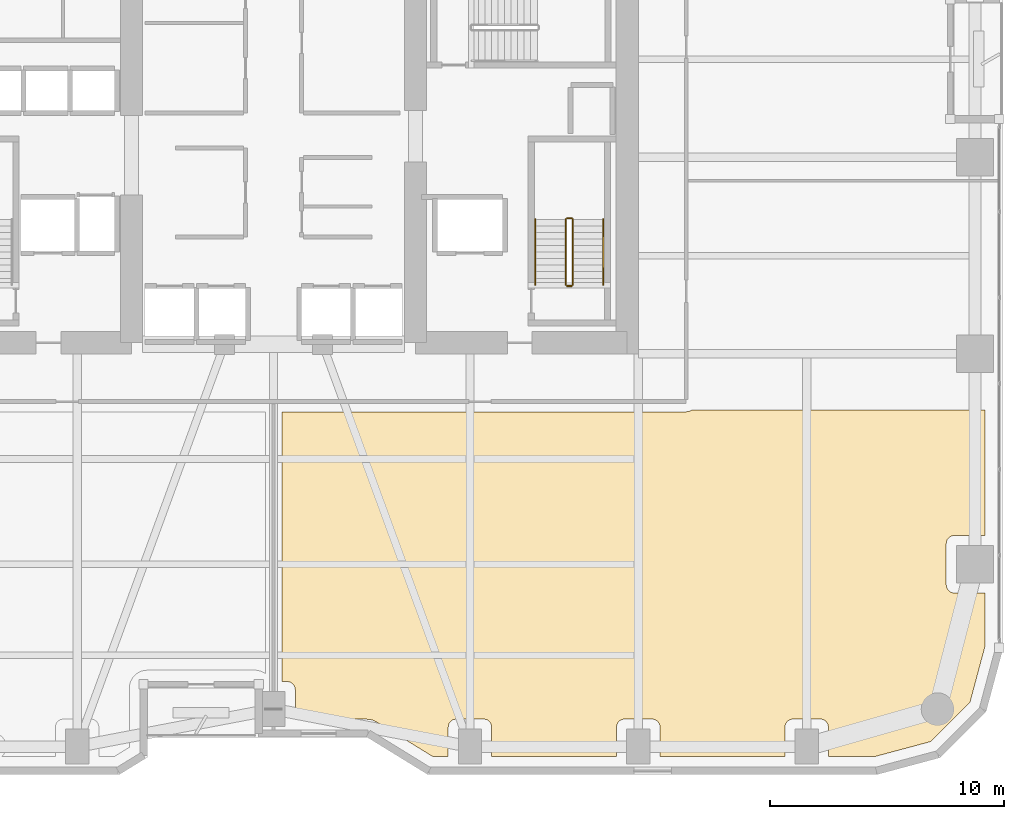
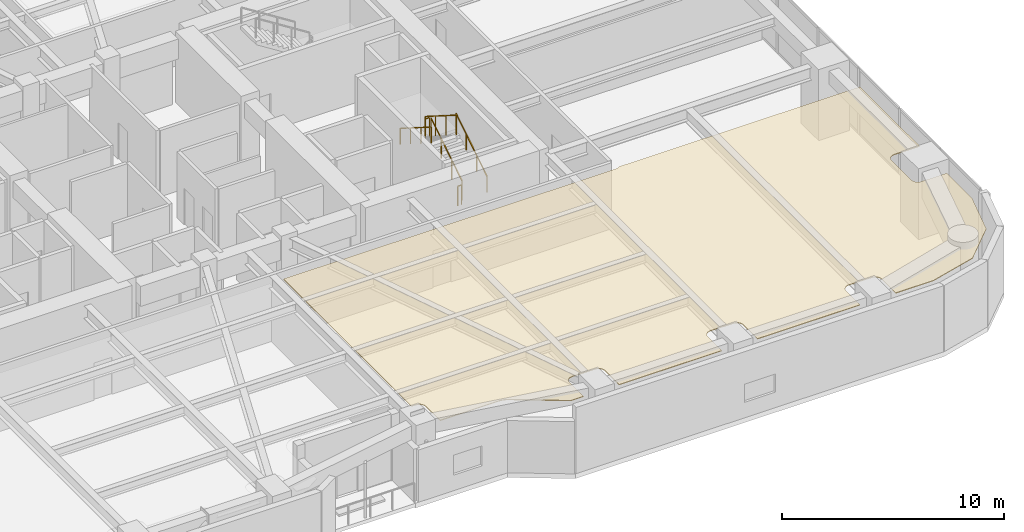
# One storey, part 27 of 29: 6 railings, 1 covering.
"""IFC4 building model written with IfcOpenShell, lengths in metres."""

import ifcopenshell
import ifcopenshell.guid

model = None  # the IFC model being written
_history = None  # IfcOwnerHistory: only IFC2X3 demands one
_inside = {}  # id of a spatial element -> (the spatial element, [elements in it])
_under = {}  # id of a project, library or spatial element -> (it, [spatial elements below it])
_declared = {}  # id of a project -> (the project, [libraries it declares])
_typed = {}  # id of a type object -> (the type object, [elements of that type])
_made_of = {}  # id of a material, layer set ... -> (it, [elements and type objects made of it])


def new_model(schema):
    """Start an empty IFC model of exactly this schema.

    Asked for "IFC4X3", IfcOpenShell would pick the latest addendum, in which some entities
    have other attributes; the version numbers below select the first issue.
    IFC2X3 requires an IfcOwnerHistory on every rooted entity: one is made here for all.
    """
    global model, _history
    if schema == "IFC4X3":
        model = ifcopenshell.file(schema_version=(4, 3, 0, 0))
    else:
        model = ifcopenshell.file(schema=schema)
    _inside.clear()
    _under.clear()
    _declared.clear()
    _typed.clear()
    _made_of.clear()
    _history = None
    if model.schema == "IFC2X3":
        org = make("IfcOrganization", Name="unknown")
        user = make(
            "IfcPersonAndOrganization",
            ThePerson=make("IfcPerson", FamilyName="unknown"),
            TheOrganization=org,
        )
        app = make(
            "IfcApplication",
            ApplicationDeveloper=org,
            Version="unknown",
            ApplicationFullName="unknown",
            ApplicationIdentifier="unknown",
        )
        _history = make(
            "IfcOwnerHistory",
            OwningUser=user,
            OwningApplication=app,
            ChangeAction="ADDED",
            CreationDate=0,
        )
    return model


def make(cls, **values):
    """One entity of the class cls with the attributes given. An attribute that is None is left unset."""
    return model.create_entity(
        cls, **{name: value for name, value in values.items() if value is not None}
    )


def rooted(cls, **values):
    """An entity with a GlobalId (a new one), such as an element, a storey or a relation."""
    return make(cls, GlobalId=ifcopenshell.guid.new(), OwnerHistory=_history, **values)


def si_unit(unit_type, name, prefix=None):
    """IfcSIUnit, for example si_unit("LENGTHUNIT", "METRE", prefix="MILLI")."""
    return make("IfcSIUnit", UnitType=unit_type, Prefix=prefix, Name=name)


def assignment(units):
    """IfcUnitAssignment: the units of a project."""
    return None if units is None else make("IfcUnitAssignment", Units=units)


def point(xyz):
    """IfcCartesianPoint."""
    return None if xyz is None else make("IfcCartesianPoint", Coordinates=xyz)


def direction(xyz):
    """IfcDirection."""
    return None if xyz is None else make("IfcDirection", DirectionRatios=xyz)


def frame(location, z_axis=None, x_axis=None):
    """IfcAxis2Placement3D, a coordinate frame: its origin and axes. An axis left out is left unset."""
    return make(
        "IfcAxis2Placement3D",
        Location=point(location),
        Axis=direction(z_axis),
        RefDirection=direction(x_axis),
    )


def frame_2d(location, x_axis=None):
    """IfcAxis2Placement2D, a coordinate frame in the plane: its origin and x axis."""
    return make(
        "IfcAxis2Placement2D", Location=point(location), RefDirection=direction(x_axis)
    )


def origin():
    """The frame at (0, 0, 0) with its axes left unset."""
    return frame((0.0, 0.0, 0.0))


def origin_2d():
    """The frame at (0, 0) in the plane with its x axis left unset."""
    return frame_2d((0.0, 0.0))


def place(relative_to, where):
    """IfcLocalPlacement: puts the frame where relative to a parent placement (None: the world)."""
    return make(
        "IfcLocalPlacement", PlacementRelTo=relative_to, RelativePlacement=where
    )


def context(
    kind, dimensions, precision=None, world=None, true_north=None, identifier=None
):
    """IfcGeometricRepresentationContext, for example the 3D "Model" context."""
    return make(
        "IfcGeometricRepresentationContext",
        ContextIdentifier=identifier,
        ContextType=kind,
        CoordinateSpaceDimension=dimensions,
        Precision=precision,
        WorldCoordinateSystem=world,
        TrueNorth=true_north,
    )


def subcontext(parent, identifier, kind, view, scale=None):
    """IfcGeometricRepresentationSubContext, for example "Body" below "Model"."""
    return make(
        "IfcGeometricRepresentationSubContext",
        ContextIdentifier=identifier,
        ContextType=kind,
        ParentContext=parent,
        TargetScale=scale,
        TargetView=view,
    )


def project(units=None, contexts=None):
    """IfcProject with its units and contexts."""
    return rooted(
        "IfcProject",
        Name="project",
        RepresentationContexts=contexts,
        UnitsInContext=assignment(units),
    )


def spatial(cls, under=None, at=None, **own):
    """A site, building, storey or space (cls), placed at a placement, below another one or the project."""
    s = rooted(cls, ObjectPlacement=at, **own)
    if under is not None:
        _under.setdefault(under.id(), (under, []))[1].append(s)
    return s


def polyline(points):
    """IfcPolyline through the points."""
    return make("IfcPolyline", Points=[point(p) for p in points])


def profile(cls, at=None, kind="AREA", **sizes):
    """A parametric profile (cls). Its sizes go by their IFC names, for example OverallWidth=200.0."""
    return make(cls, ProfileType=kind, Position=at, **sizes)


def rectangle(**sizes):
    """IfcRectangleProfileDef."""
    return profile("IfcRectangleProfileDef", **sizes)


def outline(outer, holes=None, kind="AREA"):
    """IfcArbitraryClosedProfileDef: a profile drawn as a closed curve; with holes, ...WithVoids."""
    if holes is None:
        return make("IfcArbitraryClosedProfileDef", ProfileType=kind, OuterCurve=outer)
    return make(
        "IfcArbitraryProfileDefWithVoids",
        ProfileType=kind,
        OuterCurve=outer,
        InnerCurves=holes,
    )


def extrude(swept, where, along, depth):
    """IfcExtrudedAreaSolid: the profile swept, set in the frame where, extruded along a direction by depth."""
    return make(
        "IfcExtrudedAreaSolid",
        SweptArea=swept,
        Position=where,
        ExtrudedDirection=direction(along),
        Depth=depth,
    )


def shape(context_of_items, identifier, shape_type, items):
    """IfcShapeRepresentation: the items that make up one representation, for example the "Body"."""
    return make(
        "IfcShapeRepresentation",
        ContextOfItems=context_of_items,
        RepresentationIdentifier=identifier,
        RepresentationType=shape_type,
        Items=items,
    )


def material(Name=None, Category=None):
    """IfcMaterial."""
    return make("IfcMaterial", Name=Name, Category=Category)


def layer(
    of_material, thickness, ventilated=None, Name=None, Category=None, Priority=None
):
    """IfcMaterialLayer: one layer of a wall or slab, of a material (None: an air gap)."""
    return make(
        "IfcMaterialLayer",
        Material=of_material,
        LayerThickness=thickness,
        IsVentilated=ventilated,
        Name=Name,
        Category=Category,
        Priority=Priority,
    )


def layer_set(layers, Name=None):
    """IfcMaterialLayerSet."""
    return make("IfcMaterialLayerSet", MaterialLayers=layers, LayerSetName=Name)


def made_of(thing, what):
    """Note that an element or type object is made of a material, layer set ...; save() writes the relation."""
    if what is not None:
        _made_of.setdefault(what.id(), (what, []))[1].append(thing)
    return thing


def type_object(cls, material=None, **own):
    """A type object (cls), such as IfcWallType, which elements share."""
    return made_of(rooted(cls, **own), material)


def element(
    cls,
    number,
    at=None,
    inside=None,
    cuts=None,
    type_object=None,
    material=None,
    context=None,
    identifier="Body",
    shape_type=None,
    held_by="IfcProductDefinitionShape",
    body=None,
    shapes=None,
    **own,
):
    """One element of the class cls, such as IfcWall. Its Tag is "e" and its number.

    at: its placement. inside: the storey or other place that contains it. cuts: it is an
    opening in that element (IfcRelVoidsElement). A single representation is given by context,
    identifier, shape_type and body (its items); several are given by shapes. held_by: the class
    of the entity that holds the representations. save() writes the other relations.
    """
    e = rooted(cls, Tag="e%d" % number, ObjectPlacement=at, **own)
    if body is not None:
        shapes = [shape(context, identifier, shape_type, body)]
    if shapes is not None:
        e.Representation = make(held_by, Representations=shapes)
    if inside is not None:
        _inside.setdefault(inside.id(), (inside, []))[1].append(e)
    if cuts is not None:
        rooted(
            "IfcRelVoidsElement", RelatingBuildingElement=cuts, RelatedOpeningElement=e
        )
    if type_object is not None:
        _typed.setdefault(type_object.id(), (type_object, []))[1].append(e)
    return made_of(e, material)


def aggregate(whole, parts):
    """IfcRelAggregates: a whole, such as a stair, and the parts it consists of."""
    return rooted("IfcRelAggregates", RelatingObject=whole, RelatedObjects=parts)


def save(model, path):
    """Write the relations noted so far, then the file.

    IfcRelAggregates (storeys below a building ...), IfcRelContainedInSpatialStructure (elements
    in a storey), IfcRelDefinesByType, IfcRelAssociatesMaterial and IfcRelDeclares: one each for
    every whole, place, type object, material and project.
    """
    for whole, parts in _under.values():
        aggregate(whole, parts)
    for where, things in _inside.values():
        rooted(
            "IfcRelContainedInSpatialStructure",
            RelatedElements=things,
            RelatingStructure=where,
        )
    for kind, things in _typed.values():
        rooted("IfcRelDefinesByType", RelatedObjects=things, RelatingType=kind)
    for what, things in _made_of.values():
        rooted("IfcRelAssociatesMaterial", RelatedObjects=things, RelatingMaterial=what)
    for by, libraries in _declared.values():
        rooted("IfcRelDeclares", RelatingContext=by, RelatedDefinitions=libraries)
    model.write(path)


model = new_model("IFC4")

# Units and contexts
model_context = context("Model", 3, precision=1e-05, world=origin(), true_north=direction((0.0, 1.0)))
body_context = subcontext(model_context, "Body", "Model", "MODEL_VIEW")
ifc_project = project(units=[si_unit("LENGTHUNIT", "METRE"), si_unit("AREAUNIT", "SQUARE_METRE"), si_unit("VOLUMEUNIT", "CUBIC_METRE"), si_unit("PLANEANGLEUNIT", "RADIAN"), si_unit("MASSUNIT", "GRAM", prefix="KILO")], contexts=[model_context])

# Site, building, storey
site_placement = place(None, origin())
site = spatial("IfcSite", under=ifc_project, at=site_placement, CompositionType="ELEMENT")
building_placement = place(site_placement, origin())
building = spatial("IfcBuilding", under=site, at=building_placement, Name="Kiyonajd Concourse Tower", CompositionType="ELEMENT")
storey_placement = place(building_placement, frame((0.0, 0.0, 29.39990234375)))
storey = spatial("IfcBuildingStorey", under=building, at=storey_placement, Name="L08", CompositionType="ELEMENT", Elevation=29.39990234375)

# Covering
ifc_material_1 = material(Name="Natural Oak Acoustic Timber Veneer", Category="wood")
ifc_layer = layer(ifc_material_1, 0.0400390625)
ifc_layer_set = layer_set([ifc_layer], Name="Natural Oak Acoustic Timber Veneer")
covering_type = type_object("IfcCoveringType", Name="CV-CLG-ACST", PredefinedType="CEILING", material=ifc_layer_set)
covering_placement = place(storey_placement, frame((0.0, 0.0, 3.460205078125)))
element("IfcCovering", 1, at=covering_placement, inside=storey, type_object=covering_type, Name="L08-39 Room Acoustic Ceiling", PredefinedType="CEILING", context=body_context, shape_type="SweptSolid", body=[
    extrude(outline(polyline([(65.89794921875, 25.199951171875), (78.429931640625, 25.199951171875), (78.429931640625, 19.830078125), (77.1201171875, 19.830078125), (77.052001953125, 19.822998046875), (76.986083984375, 19.802978515625), (76.926025390625, 19.77099609375), (76.84912109375, 19.701904296875), (76.81103515625, 19.64501953125), (76.784912109375, 19.58203125), (76.77001953125, 19.47998046875), (76.77001953125, 17.719970703125), (76.784912109375, 17.617919921875), (76.81103515625, 17.554931640625), (76.84912109375, 17.498046875), (76.89794921875, 17.448974609375), (76.955078125, 17.410888671875), (77.01806640625, 17.385009765625), (77.0859375, 17.3720703125), (78.429931640625, 17.3701171875), (78.429931640625, 15.10107421875), (77.785888671875, 12.697998046875), (76.10205078125, 11.013916015625), (73.698974609375, 10.3701171875), (71.72998046875, 10.3701171875), (71.72802734375, 11.6640625), (71.715087890625, 11.73193359375), (71.68896484375, 11.794921875), (71.626953125, 11.876953125), (71.544921875, 11.93896484375), (71.48193359375, 11.965087890625), (71.4140625, 11.97802734375), (70.18603515625, 11.97802734375), (70.117919921875, 11.965087890625), (70.054931640625, 11.93896484375), (69.972900390625, 11.876953125), (69.910888671875, 11.794921875), (69.876953125, 11.697998046875), (69.8701171875, 11.6298828125), (69.8701171875, 10.3701171875), (64.530029296875, 10.3701171875), (64.528076171875, 11.6640625), (64.514892578125, 11.73193359375), (64.489013671875, 11.794921875), (64.427001953125, 11.876953125), (64.344970703125, 11.93896484375), (64.281982421875, 11.965087890625), (64.214111328125, 11.97802734375), (63.02001953125, 11.97998046875), (62.91796875, 11.965087890625), (62.85498046875, 11.93896484375), (62.798095703125, 11.90087890625), (62.7490234375, 11.85205078125), (62.7109375, 11.794921875), (62.677001953125, 11.697998046875), (62.669921875, 11.6298828125), (62.669921875, 10.3701171875), (57.330078125, 10.3701171875), (57.327880859375, 11.6640625), (57.302978515625, 11.763916015625), (57.27099609375, 11.823974609375), (57.22705078125, 11.876953125), (57.174072265625, 11.9208984375), (57.114013671875, 11.952880859375), (57.013916015625, 11.97802734375), (55.820068359375, 11.97998046875), (55.718017578125, 11.965087890625), (55.655029296875, 11.93896484375), (55.597900390625, 11.90087890625), (55.549072265625, 11.85205078125), (55.510986328125, 11.794921875), (55.47705078125, 11.697998046875), (55.469970703125, 11.6298828125), (55.469970703125, 10.3701171875), (54.818115234375, 10.3701171875), (52.403076171875, 11.85595703125), (52.305908203125, 11.906005859375), (52.221923828125, 11.93701171875), (52.10302734375, 11.9619140625), (52.0, 11.969970703125), (48.929931640625, 11.969970703125), (48.929931640625, 13.22998046875), (48.9150390625, 13.33203125), (48.888916015625, 13.39501953125), (48.85107421875, 13.451904296875), (48.802001953125, 13.5009765625), (48.714111328125, 13.552978515625), (48.614013671875, 13.577880859375), (48.3701171875, 13.580078125), (48.3701171875, 25.1201171875), (65.64990234375, 25.1201171875), (65.780029296875, 25.139892578125), (65.843017578125, 25.166015625), (65.89794921875, 25.199951171875)])), origin(), (0.0, 0.0, 1.0), 0.039794921875),
])

# Railings
ifc_material_2 = material(Name="Steel ASTM A500 Grade C", Category="steel")
railing_type_1 = type_object("IfcRailingType", Name="RL-GRD-STR", PredefinedType="GUARDRAIL", material=ifc_material_2)
railing_1_placement = place(storey_placement, frame((60.800048828125, 30.550048828125, 0.177490234375)))
element("IfcRailing", 2, at=railing_1_placement, inside=storey, type_object=railing_type_1, Name="L08 ST2 stair guard 1", PredefinedType="GUARDRAIL", context=body_context, shape_type="SweptSolid", body=[
    extrude(rectangle(XDim=0.048095703125, YDim=0.048095703125, at=origin_2d()), frame((0.0, 0.0, 1.076171875), z_axis=(0.0, 0.844908973607, 0.534910110503), x_axis=(-1.0, 0.0, 0.0)), (0.0, 0.0, 1.0), 3.31396484375),
    extrude(rectangle(XDim=0.0419921875, YDim=0.0419921875, at=origin_2d()), origin(), (0.0, 0.0, 1.0), 1.052001953125),
    extrude(rectangle(XDim=0.0419921875, YDim=0.0419921875, at=origin_2d()), frame((0.0, 0.933349609375, 0.5908203125)), (0.0, 0.0, 1.0), 1.052001953125),
    extrude(rectangle(XDim=0.0419921875, YDim=0.0419921875, at=origin_2d()), frame((0.0, 1.86669921875, 1.181884765625)), (0.0, 0.0, 1.0), 1.052001953125),
    extrude(rectangle(XDim=0.0419921875, YDim=0.0419921875, at=origin_2d()), frame((0.0, 2.800048828125, 1.772705078125)), (0.0, 0.0, 1.0), 1.052001953125),
])
railing_2_placement = place(storey_placement, frame((60.75, 33.39990234375, 1.9501953125)))
element("IfcRailing", 3, at=railing_2_placement, inside=storey, type_object=railing_type_1, Name="L08 ST2 stair guard 2", PredefinedType="GUARDRAIL", context=body_context, shape_type="SweptSolid", body=[
    extrude(rectangle(XDim=0.048095703125, YDim=0.048095703125, at=origin_2d()), frame((0.0, 0.0, 1.076171875), z_axis=(-1.0, 0.0, 0.0), x_axis=(0.0, -1.0, 0.0)), (0.0, 0.0, 1.0), 0.199951171875),
    extrude(rectangle(XDim=0.0419921875, YDim=0.0419921875, at=origin_2d()), origin(), (0.0, 0.0, 1.0), 1.052001953125),
    extrude(rectangle(XDim=0.0419921875, YDim=0.0419921875, at=origin_2d()), frame((-0.199951171875, 0.0, 0.0)), (0.0, 0.0, 1.0), 1.052001953125),
])
railing_3_placement = place(storey_placement, frame((60.5, 33.35009765625, 2.12744140625)))
element("IfcRailing", 4, at=railing_3_placement, inside=storey, type_object=railing_type_1, Name="L08 ST2 stair guard 3", PredefinedType="GUARDRAIL", context=body_context, shape_type="SweptSolid", body=[
    extrude(rectangle(XDim=0.048095703125, YDim=0.048095703125, at=origin_2d()), frame((0.0, 0.0, 1.076171875), z_axis=(0.0, -0.844908973607, 0.534910110503), x_axis=(1.0, 0.0, 0.0)), (0.0, 0.0, 1.0), 3.31396484375),
    extrude(rectangle(XDim=0.0419921875, YDim=0.0419921875, at=origin_2d()), origin(), (0.0, 0.0, 1.0), 1.052001953125),
    extrude(rectangle(XDim=0.0419921875, YDim=0.0419921875, at=origin_2d()), frame((0.0, -0.933349609375, 0.5908203125)), (0.0, 0.0, 1.0), 1.052001953125),
    extrude(rectangle(XDim=0.0419921875, YDim=0.0419921875, at=origin_2d()), frame((0.0, -1.86669921875, 1.181884765625)), (0.0, 0.0, 1.0), 1.052001953125),
    extrude(rectangle(XDim=0.0419921875, YDim=0.0419921875, at=origin_2d()), frame((0.0, -2.800048828125, 1.772705078125)), (0.0, 0.0, 1.0), 1.052001953125),
])
railing_4_placement = place(storey_placement, frame((60.75, 30.5, 0.0)))
element("IfcRailing", 5, at=railing_4_placement, inside=storey, type_object=railing_type_1, Name="L08 ST2 stair guard 4", PredefinedType="GUARDRAIL", context=body_context, shape_type="SweptSolid", body=[
    extrude(rectangle(XDim=0.048095703125, YDim=0.048095703125, at=origin_2d()), frame((0.0, 0.0, 1.076171875), z_axis=(-1.0, 0.0, 0.0), x_axis=(0.0, -1.0, 0.0)), (0.0, 0.0, 1.0), 0.199951171875),
    extrude(rectangle(XDim=0.0419921875, YDim=0.0419921875, at=origin_2d()), origin(), (0.0, 0.0, 1.0), 1.052001953125),
    extrude(rectangle(XDim=0.0419921875, YDim=0.0419921875, at=origin_2d()), frame((-0.199951171875, 0.0, 0.0)), (0.0, 0.0, 1.0), 1.052001953125),
])
ifc_material_3 = material(Name="Brushed Stainless Steel Cab Assembly", Category="steel")
railing_type_2 = type_object("IfcRailingType", Name="RL-HND-900", PredefinedType="HANDRAIL", material=ifc_material_3)
railing_5_placement = place(storey_placement, frame((62.10009765625, 30.550048828125, 0.177490234375)))
element("IfcRailing", 6, at=railing_5_placement, inside=storey, type_object=railing_type_2, Name="L08 ST2 stair handrail 1", PredefinedType="HANDRAIL", context=body_context, shape_type="SweptSolid", body=[
    extrude(rectangle(XDim=0.048095703125, YDim=0.048095703125, at=origin_2d()), frame((0.0, 0.0, 0.8759765625), z_axis=(0.0, 0.844908973607, 0.534910110503), x_axis=(-1.0, 0.0, 0.0)), (0.0, 0.0, 1.0), 3.31396484375),
    extrude(rectangle(XDim=0.0419921875, YDim=0.0419921875, at=origin_2d()), origin(), (0.0, 0.0, 1.0), 0.851806640625),
    extrude(rectangle(XDim=0.0419921875, YDim=0.0419921875, at=origin_2d()), frame((0.0, 0.933349609375, 0.5908203125)), (0.0, 0.0, 1.0), 0.851806640625),
    extrude(rectangle(XDim=0.0419921875, YDim=0.0419921875, at=origin_2d()), frame((0.0, 1.86669921875, 1.181884765625)), (0.0, 0.0, 1.0), 0.851806640625),
    extrude(rectangle(XDim=0.0419921875, YDim=0.0419921875, at=origin_2d()), frame((0.0, 2.800048828125, 1.772705078125)), (0.0, 0.0, 1.0), 0.851806640625),
])
railing_6_placement = place(storey_placement, frame((59.199951171875, 33.35009765625, 2.12744140625)))
element("IfcRailing", 7, at=railing_6_placement, inside=storey, type_object=railing_type_2, Name="L08 ST2 stair handrail 2", PredefinedType="HANDRAIL", context=body_context, shape_type="SweptSolid", body=[
    extrude(rectangle(XDim=0.048095703125, YDim=0.048095703125, at=origin_2d()), frame((0.0, 0.0, 0.8759765625), z_axis=(0.0, -0.844908973607, 0.534910110503), x_axis=(1.0, 0.0, 0.0)), (0.0, 0.0, 1.0), 3.31396484375),
    extrude(rectangle(XDim=0.0419921875, YDim=0.0419921875, at=origin_2d()), origin(), (0.0, 0.0, 1.0), 0.851806640625),
    extrude(rectangle(XDim=0.0419921875, YDim=0.0419921875, at=origin_2d()), frame((0.0, -0.933349609375, 0.5908203125)), (0.0, 0.0, 1.0), 0.851806640625),
    extrude(rectangle(XDim=0.0419921875, YDim=0.0419921875, at=origin_2d()), frame((0.0, -1.86669921875, 1.181884765625)), (0.0, 0.0, 1.0), 0.851806640625),
    extrude(rectangle(XDim=0.0419921875, YDim=0.0419921875, at=origin_2d()), frame((0.0, -2.800048828125, 1.772705078125)), (0.0, 0.0, 1.0), 0.851806640625),
])

save(model, "model.ifc")
